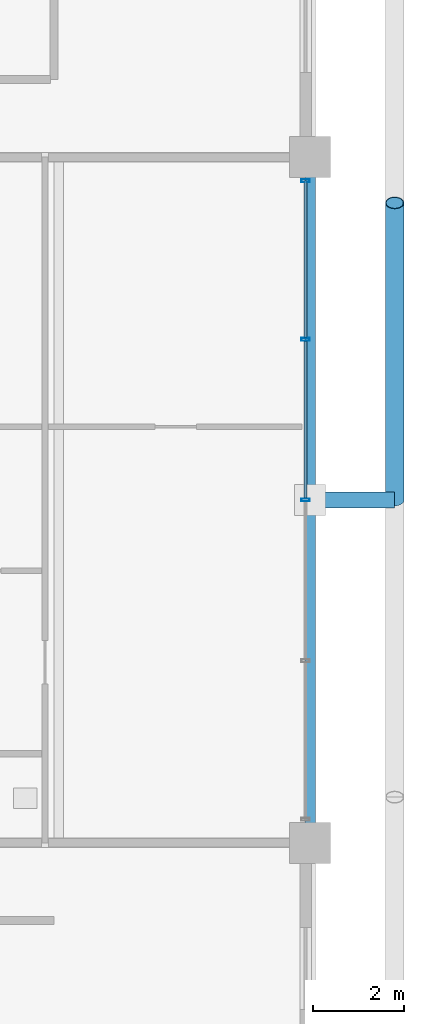
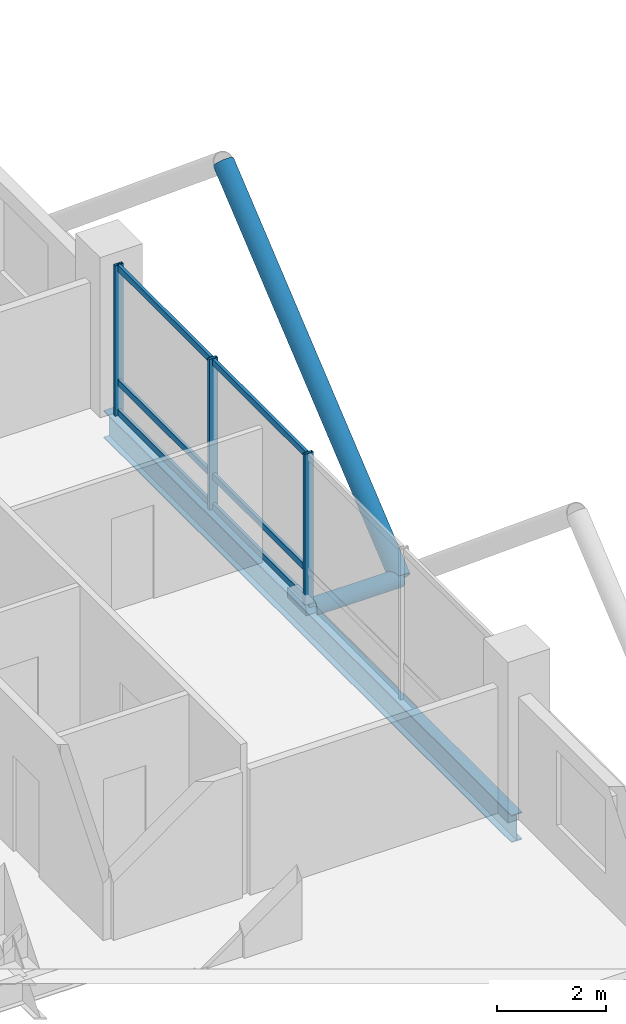
# One storey, part 13 of 24: 11 members, 1 beam, 1 element without a shape of its own.
"""IFC4 building model written with IfcOpenShell, lengths in metres."""

from ifc_helpers import new_model, si_unit, direction, frame, origin, origin_2d, place, context, subcontext, project, spatial, hollow_rectangle, hollow_circle, i_section, extrude, material, layer, layer_set, material_profile, profile_set, type_object, element, aggregate, save


model = new_model("IFC4")

# Units and contexts
model_context = context("Model", 3, precision=1e-05, world=origin(), true_north=direction((0.0, 1.0)))
body_context = subcontext(model_context, "Body", "Model", "MODEL_VIEW")
ifc_project = project(units=[si_unit("LENGTHUNIT", "METRE"), si_unit("AREAUNIT", "SQUARE_METRE"), si_unit("VOLUMEUNIT", "CUBIC_METRE"), si_unit("PLANEANGLEUNIT", "RADIAN"), si_unit("MASSUNIT", "GRAM", prefix="KILO")], contexts=[model_context])

# Site, building, storey
site_placement = place(None, origin())
site = spatial("IfcSite", under=ifc_project, at=site_placement, CompositionType="ELEMENT")
building_placement = place(site_placement, origin())
building = spatial("IfcBuilding", under=site, at=building_placement, Name="Barlavira Tower and Art Museum", CompositionType="ELEMENT")
storey_placement = place(building_placement, frame((0.0, 0.0, 251.10009765625)))
storey = spatial("IfcBuildingStorey", under=building, at=storey_placement, Name="L65", CompositionType="ELEMENT", Elevation=251.10009765625)

# Curtain wall, members
ifc_material_1 = material(Name="Low-iron coastal laminated glass", Category="glass")
ifc_layer = layer(ifc_material_1, 0.2099609375, Name="Low-iron coastal laminated glass")
ifc_layer_set = layer_set([ifc_layer], Name="Low-iron coastal laminated glass")
curtain_wall_type = type_object("IfcCurtainWallType", Name="Pale-Metal Unitised Curtain Wall Zone 4", PredefinedType="NOTDEFINED", material=ifc_layer_set)
curtain_wall_placement = place(storey_placement, origin())
curtain_wall = element("IfcCurtainWall", 1, at=curtain_wall_placement, inside=storey, type_object=curtain_wall_type, Name="L65 Curtain Wall CW4-L65-E-B3", PredefinedType="NOTDEFINED")
ifc_material_2 = material(Name="Pale anodised aluminium", Category="aluminium")
ifc_material_profile_1 = material_profile(ifc_material_2, hollow_rectangle(XDim=0.06494140625, YDim=0.179931640625, WallThickness=0.00390625, at=origin_2d()), Name="ALU-MULL 65x180x4")
ifc_profile_set_1 = profile_set([ifc_material_profile_1], Name="Pale anodised aluminium")
member_type_1 = type_object("IfcMemberType", Name="Curtain Wall Pale-Metal Mullion 65x180", PredefinedType="MULLION", material=ifc_profile_set_1)
member_1_placement = place(storey_placement, frame((16.89990234375, 0.0, 0.0), z_axis=(0.0, 0.0, 1.0), x_axis=(0.0, 1.0, 0.0)))
member_1 = element("IfcMember", 2, at=member_1_placement, type_object=member_type_1, Name="CW4-L65-E-B3 Mullion 2", PredefinedType="MULLION", context=body_context, shape_type="SweptSolid", body=[
    extrude(hollow_rectangle(XDim=0.06494140625, YDim=0.179931640625, WallThickness=0.00390625, at=origin_2d()), origin(), (0.0, 0.0, 1.0), 3.3798828125),
])
member_2_placement = place(storey_placement, frame((16.89990234375, 3.514892578125, 0.0), z_axis=(0.0, 0.0, 1.0), x_axis=(0.0, 1.0, 0.0)))
member_2 = element("IfcMember", 3, at=member_2_placement, type_object=member_type_1, Name="CW4-L65-E-B3 Mullion 3", PredefinedType="MULLION", context=body_context, shape_type="SweptSolid", body=[
    extrude(hollow_rectangle(XDim=0.06494140625, YDim=0.179931640625, WallThickness=0.00390625, at=origin_2d()), origin(), (0.0, 0.0, 1.0), 3.3798828125),
])
member_3_placement = place(storey_placement, frame((16.89990234375, 6.985107421875, 0.0), z_axis=(0.0, 0.0, 1.0), x_axis=(0.0, 1.0, 0.0)))
member_3 = element("IfcMember", 4, at=member_3_placement, type_object=member_type_1, Name="CW4-L65-E-B3 Mullion 4", PredefinedType="MULLION", context=body_context, shape_type="SweptSolid", body=[
    extrude(hollow_rectangle(XDim=0.06494140625, YDim=0.179931640625, WallThickness=0.00390625, at=origin_2d()), origin(), (0.0, 0.0, 1.0), 3.3798828125),
])
ifc_material_profile_2 = material_profile(ifc_material_2, hollow_rectangle(XDim=0.06494140625, YDim=0.139892578125, WallThickness=0.00390625, at=origin_2d()), Name="ALU-TRAN 65x140x4")
ifc_profile_set_2 = profile_set([ifc_material_profile_2], Name="Pale anodised aluminium")
member_type_2 = type_object("IfcMemberType", Name="Curtain Wall Pale-Metal Transom 65x140", PredefinedType="USERDEFINED", material=ifc_profile_set_2)
member_4_placement = place(storey_placement, frame((16.89990234375, 0.044921875, 0.06982421875), z_axis=(0.0, 1.0, 0.0), x_axis=(-1.0, 0.0, 0.0)))
member_4 = element("IfcMember", 5, at=member_4_placement, type_object=member_type_2, Name="CW4-L65-E-B3 Transom 2.1", ObjectType="TRANSOM", PredefinedType="USERDEFINED", context=body_context, shape_type="SweptSolid", body=[
    extrude(hollow_rectangle(XDim=0.06494140625, YDim=0.139892578125, WallThickness=0.00390625, at=origin_2d()), origin(), (0.0, 0.0, 1.0), 3.425048828125),
])
member_5_placement = place(storey_placement, frame((16.89990234375, 0.044921875, 0.743896484375), z_axis=(0.0, 1.0, 0.0), x_axis=(-1.0, 0.0, 0.0)))
member_5 = element("IfcMember", 6, at=member_5_placement, type_object=member_type_2, Name="CW4-L65-E-B3 Transom 2.2", ObjectType="TRANSOM", PredefinedType="USERDEFINED", context=body_context, shape_type="SweptSolid", body=[
    extrude(hollow_rectangle(XDim=0.06494140625, YDim=0.139892578125, WallThickness=0.00390625, at=origin_2d()), origin(), (0.0, 0.0, 1.0), 3.425048828125),
])
member_6_placement = place(storey_placement, frame((16.89990234375, 0.044921875, 3.309814453125), z_axis=(0.0, 1.0, 0.0), x_axis=(-1.0, 0.0, 0.0)))
member_6 = element("IfcMember", 7, at=member_6_placement, type_object=member_type_2, Name="CW4-L65-E-B3 Transom 2.3", ObjectType="TRANSOM", PredefinedType="USERDEFINED", context=body_context, shape_type="SweptSolid", body=[
    extrude(hollow_rectangle(XDim=0.06494140625, YDim=0.139892578125, WallThickness=0.00390625, at=origin_2d()), origin(), (0.0, 0.0, 1.0), 3.425048828125),
])
member_7_placement = place(storey_placement, frame((16.89990234375, 3.56005859375, 0.06982421875), z_axis=(0.0, 1.0, 0.0), x_axis=(-1.0, 0.0, 0.0)))
member_7 = element("IfcMember", 8, at=member_7_placement, type_object=member_type_2, Name="CW4-L65-E-B3 Transom 3.1", ObjectType="TRANSOM", PredefinedType="USERDEFINED", context=body_context, shape_type="SweptSolid", body=[
    extrude(hollow_rectangle(XDim=0.06494140625, YDim=0.139892578125, WallThickness=0.00390625, at=origin_2d()), origin(), (0.0, 0.0, 1.0), 3.425048828125),
])
member_8_placement = place(storey_placement, frame((16.89990234375, 3.56005859375, 0.743896484375), z_axis=(0.0, 1.0, 0.0), x_axis=(-1.0, 0.0, 0.0)))
member_8 = element("IfcMember", 9, at=member_8_placement, type_object=member_type_2, Name="CW4-L65-E-B3 Transom 3.2", ObjectType="TRANSOM", PredefinedType="USERDEFINED", context=body_context, shape_type="SweptSolid", body=[
    extrude(hollow_rectangle(XDim=0.06494140625, YDim=0.139892578125, WallThickness=0.00390625, at=origin_2d()), origin(), (0.0, 0.0, 1.0), 3.425048828125),
])
member_9_placement = place(storey_placement, frame((16.89990234375, 3.56005859375, 3.309814453125), z_axis=(0.0, 1.0, 0.0), x_axis=(-1.0, 0.0, 0.0)))
member_9 = element("IfcMember", 10, at=member_9_placement, type_object=member_type_2, Name="CW4-L65-E-B3 Transom 3.3", ObjectType="TRANSOM", PredefinedType="USERDEFINED", context=body_context, shape_type="SweptSolid", body=[
    extrude(hollow_rectangle(XDim=0.06494140625, YDim=0.139892578125, WallThickness=0.00390625, at=origin_2d()), origin(), (0.0, 0.0, 1.0), 3.425048828125),
])
aggregate(curtain_wall, [member_1, member_2, member_3, member_4, member_5, member_6, member_7, member_8, member_9])

# Members
ifc_material_3 = material(Name="Steel S355", Category="steel")
ifc_material_profile_3 = material_profile(ifc_material_3, hollow_circle(Radius=0.203125, WallThickness=0.01611328125, at=origin_2d()), Name="CHS 406.4x16.0")
ifc_profile_set_3 = profile_set([ifc_material_profile_3], Name="Steel S355")
member_type_3 = type_object("IfcMemberType", Name="Pale-Metal Exoskeleton Diagrid Tube CHS 406x16 Steel S355", PredefinedType="BRACE", material=ifc_profile_set_3)
member_10_placement = place(storey_placement, frame((18.85009765625, 0.0, -0.1201171875), z_axis=(0.0, 0.769196053329, 0.639012857104), x_axis=(-1.0, 0.0, 0.0)))
element("IfcMember", 11, at=member_10_placement, inside=storey, type_object=member_type_3, Name="L65 Exoskeleton Diagrid Tube E", PredefinedType="BRACE", context=body_context, shape_type="SweptSolid", body=[
    extrude(hollow_circle(Radius=0.203125, WallThickness=0.01611328125, at=origin_2d()), origin(), (0.0, 0.0, 1.0), 8.450439453125),
])
ifc_material_profile_4 = material_profile(ifc_material_3, hollow_circle(Radius=0.177734375, WallThickness=0.01611328125, at=origin_2d()), Name="CHS 355.6x16.0")
ifc_profile_set_4 = profile_set([ifc_material_profile_4], Name="Steel S355")
member_type_4 = type_object("IfcMemberType", Name="Pale-Metal Exoskeleton Tie Strut CHS 356x16 Steel S355", PredefinedType="STRUT", material=ifc_profile_set_4)
member_11_placement = place(storey_placement, frame((18.85009765625, 0.0, -0.1201171875), z_axis=(-1.0, 0.0, 0.0), x_axis=(0.0, -1.0, 0.0)))
element("IfcMember", 12, at=member_11_placement, inside=storey, type_object=member_type_4, Name="L65 Exoskeleton Tie Strut E2", PredefinedType="STRUT", context=body_context, shape_type="SweptSolid", body=[
    extrude(hollow_circle(Radius=0.177734375, WallThickness=0.01611328125, at=origin_2d()), origin(), (0.0, 0.0, 1.0), 1.85009765625),
])

# Beam
ifc_material_profile_5 = material_profile(ifc_material_3, i_section(OverallWidth=0.22998046875, OverallDepth=0.616943359375, WebThickness=0.01318359375, FlangeThickness=0.022216796875, at=origin_2d()), Name="W610x140.0")
ifc_profile_set_5 = profile_set([ifc_material_profile_5], Name="Steel S355")
beam_type = type_object("IfcBeamType", Name="Upper Shaft Spandrel Edge Beam W610x140 Steel S355", PredefinedType="SPANDREL", material=ifc_profile_set_5)
beam_placement = place(storey_placement, frame((17.0, -7.5, -0.528564453125), z_axis=(0.0, 1.0, 0.0), x_axis=(-1.0, 0.0, 0.0)))
element("IfcBeam", 13, at=beam_placement, inside=storey, type_object=beam_type, Name="L65 Spandrel 6", PredefinedType="SPANDREL", context=body_context, shape_type="SweptSolid", body=[
    extrude(i_section(OverallWidth=0.22998046875, OverallDepth=0.616943359375, WebThickness=0.01318359375, FlangeThickness=0.022216796875, at=origin_2d()), origin(), (0.0, 0.0, 1.0), 15.0),
])

save(model, "model.ifc")
